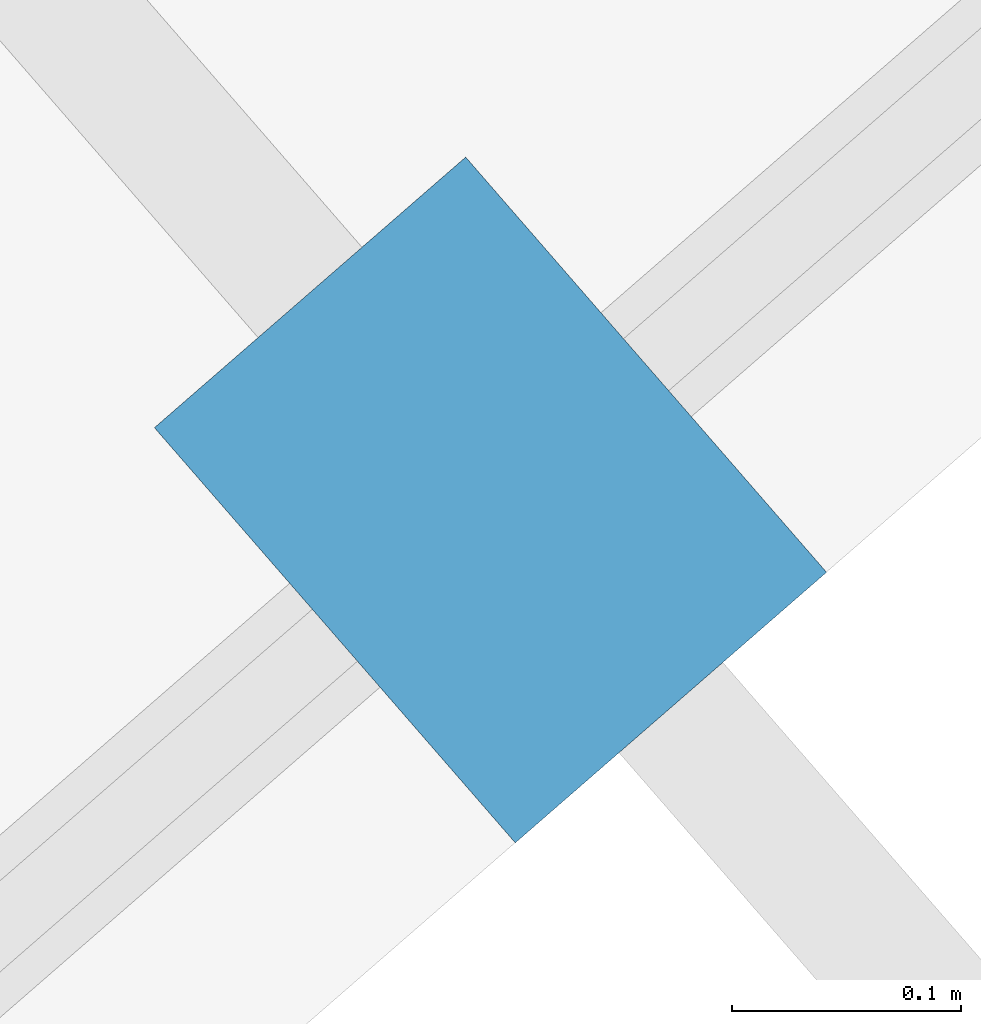
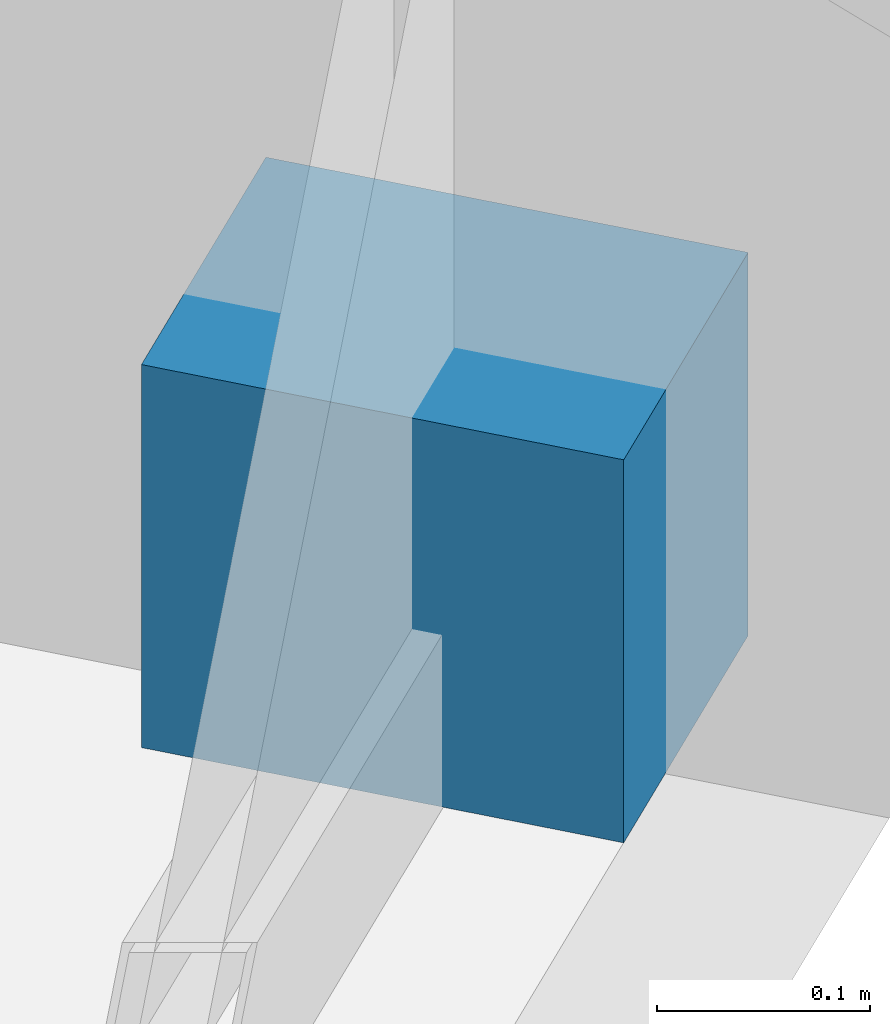
# One storey, part 18 of 20: 1 discrete accessory.
"""IFC4 building model written with IfcOpenShell, lengths in metres."""

from ifc_helpers import new_model, si_unit, direction, frame, origin, origin_2d, place, context, subcontext, project, spatial, rectangle, extrude, material, type_object, element, save


model = new_model("IFC4")

# Units and contexts
model_context = context("Model", 3, precision=1e-05, world=origin(), true_north=direction((0.0, 1.0)))
body_context = subcontext(model_context, "Body", "Model", "MODEL_VIEW")
ifc_project = project(units=[si_unit("LENGTHUNIT", "METRE"), si_unit("AREAUNIT", "SQUARE_METRE"), si_unit("VOLUMEUNIT", "CUBIC_METRE"), si_unit("PLANEANGLEUNIT", "RADIAN"), si_unit("MASSUNIT", "GRAM", prefix="KILO")], contexts=[model_context])

# Site, building, storey
site_placement = place(None, origin())
site = spatial("IfcSite", under=ifc_project, at=site_placement, CompositionType="ELEMENT")
building_placement = place(site_placement, origin())
building = spatial("IfcBuilding", under=site, at=building_placement, Name="Kravanh Interchange Tower", CompositionType="ELEMENT")
storey_placement = place(building_placement, frame((0.0, 0.0, 252.60009765625)))
storey = spatial("IfcBuildingStorey", under=building, at=storey_placement, Name="L61", CompositionType="ELEMENT", Elevation=252.60009765625)

# Discrete accessory
ifc_material = material(Name="Stainless Steel 316", Category="steel")
discrete_accessory_type = type_object("IfcDiscreteAccessoryType", Name="Solar Fin Curtain-Wall Mounting Bracket Stainless 316", PredefinedType="BRACKET", material=ifc_material)
discrete_accessory_placement = place(storey_placement, frame((64.745849609375, 18.880859375, 0.0), z_axis=(0.0, 0.0, 1.0), x_axis=(0.656059788471, -0.754708920016, 0.0)))
element("IfcDiscreteAccessory", 1, at=discrete_accessory_placement, inside=storey, type_object=discrete_accessory_type, Name="L61 Solar Fin Mounting Bracket 2", PredefinedType="BRACKET", context=body_context, shape_type="SweptSolid", body=[
    extrude(rectangle(XDim=0.239990234375, YDim=0.179931640625, at=origin_2d()), origin(), (0.0, 0.0, 1.0), 0.219970703125),
])

save(model, "model.ifc")
